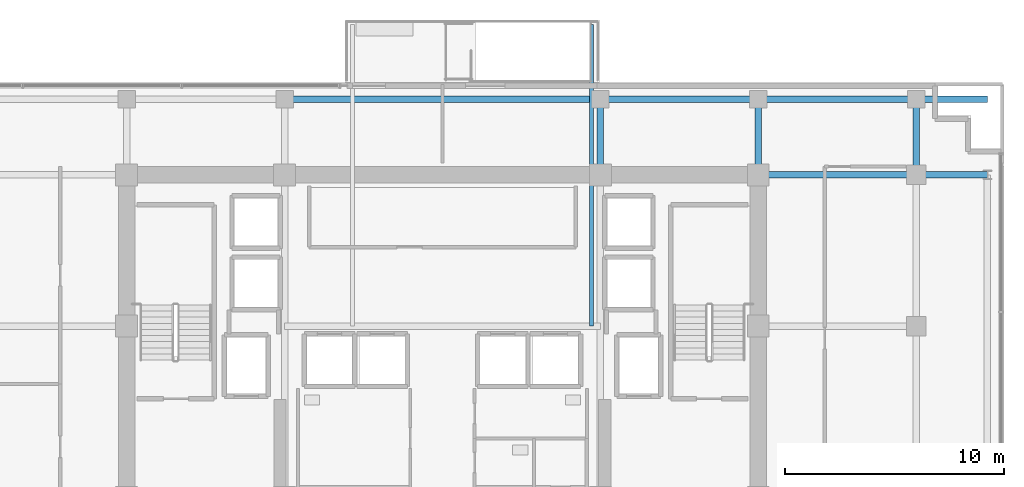
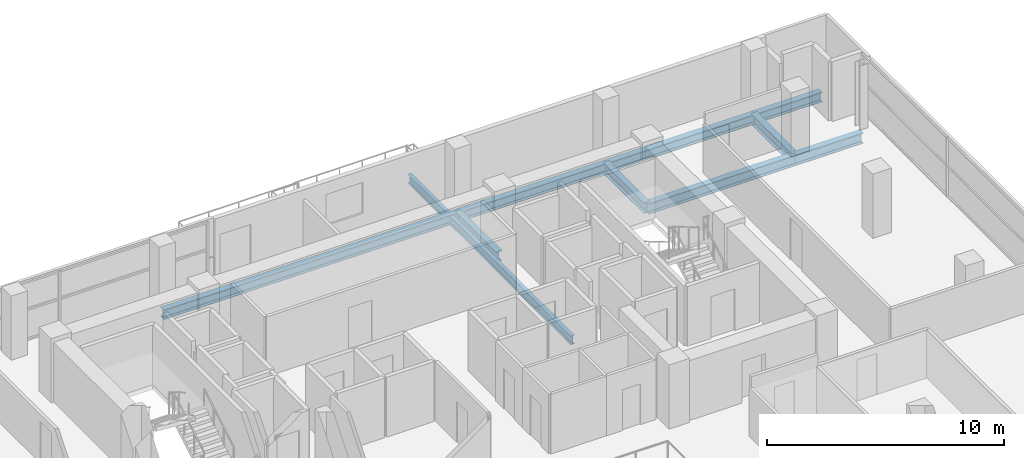
# One storey, part 17 of 28: 10 beams.
"""IFC4 building model written with IfcOpenShell, lengths in metres."""

from ifc_helpers import new_model, si_unit, direction, frame, origin, origin_2d, place, context, subcontext, project, spatial, i_section, extrude, material, material_profile, profile_set, type_object, element, save


model = new_model("IFC4")

# Units and contexts
model_context = context("Model", 3, precision=1e-05, world=origin(), true_north=direction((0.0, 1.0)))
body_context = subcontext(model_context, "Body", "Model", "MODEL_VIEW")
ifc_project = project(units=[si_unit("LENGTHUNIT", "METRE"), si_unit("AREAUNIT", "SQUARE_METRE"), si_unit("VOLUMEUNIT", "CUBIC_METRE"), si_unit("PLANEANGLEUNIT", "RADIAN"), si_unit("MASSUNIT", "GRAM", prefix="KILO")], contexts=[model_context])

# Site, building, storey
site_placement = place(None, origin())
site = spatial("IfcSite", under=ifc_project, at=site_placement, CompositionType="ELEMENT")
building_placement = place(site_placement, origin())
building = spatial("IfcBuilding", under=site, at=building_placement, Name="Zarnakvel Exchange Tower", CompositionType="ELEMENT")
storey_placement = place(building_placement, frame((0.0, 0.0, 90.10009765625)))
storey = spatial("IfcBuildingStorey", under=building, at=storey_placement, Name="L24", CompositionType="ELEMENT", Elevation=90.10009765625)

# Beams
ifc_material = material(Name="Steel S355", Category="steel")
ifc_material_profile_1 = material_profile(ifc_material, i_section(OverallWidth=0.18994140625, OverallDepth=0.449951171875, WebThickness=0.009521484375, FlangeThickness=0.0146484375, FilletRadius=0.02099609375, at=origin_2d()))
ifc_profile_set_1 = profile_set([ifc_material_profile_1], Name="Steel S355")
beam_type_1 = type_object("IfcBeamType", Name="B-05", PredefinedType="JOIST", material=ifc_profile_set_1)
beam_1_placement = place(storey_placement, frame((6.800048828125, 6.60009765625, -0.47509765625), z_axis=(0.0, 1.0, 0.0), x_axis=(-1.0, 0.0, 0.0)))
element("IfcBeam", 1, at=beam_1_placement, inside=storey, type_object=beam_type_1, Name="L24 Continuous North Spiral Terrace Beam E", PredefinedType="JOIST", context=body_context, shape_type="SweptSolid", body=[
    extrude(i_section(OverallWidth=0.18994140625, OverallDepth=0.449951171875, WebThickness=0.009521484375, FlangeThickness=0.0146484375, FilletRadius=0.02099609375, at=origin_2d()), origin(), (0.0, 0.0, 1.0), 13.760009765625),
])
ifc_material_profile_2 = material_profile(ifc_material, i_section(OverallWidth=0.300048828125, OverallDepth=0.550048828125, WebThickness=0.014892578125, FlangeThickness=0.029052734375, FilletRadius=0.027099609375, at=origin_2d()))
ifc_profile_set_2 = profile_set([ifc_material_profile_2], Name="Steel S355")
beam_type_2 = type_object("IfcBeamType", Name="G-05", PredefinedType="BEAM", material=ifc_profile_set_2)
beam_2_placement = place(storey_placement, frame((14.39990234375, 13.5, -0.5), z_axis=(1.0, 0.0, 0.0), x_axis=(0.0, 1.0, 0.0)))
element("IfcBeam", 2, at=beam_2_placement, inside=storey, type_object=beam_type_2, Name="L24 Tower E-W Frame Beam", PredefinedType="BEAM", context=body_context, shape_type="SweptSolid", body=[
    extrude(i_section(OverallWidth=0.300048828125, OverallDepth=0.550048828125, WebThickness=0.014892578125, FlangeThickness=0.029052734375, FilletRadius=0.027099609375, at=origin_2d()), origin(), (0.0, 0.0, 1.0), 7.2001953125),
])
beam_3_placement = place(storey_placement, frame((21.60009765625, 13.5, -0.5), z_axis=(1.0, 0.0, 0.0), x_axis=(0.0, 1.0, 0.0)))
element("IfcBeam", 3, at=beam_3_placement, inside=storey, type_object=beam_type_2, Name="L24 Tower E-W Frame Beam", PredefinedType="BEAM", context=body_context, shape_type="SweptSolid", body=[
    extrude(i_section(OverallWidth=0.300048828125, OverallDepth=0.550048828125, WebThickness=0.014892578125, FlangeThickness=0.029052734375, FilletRadius=0.027099609375, at=origin_2d()), origin(), (0.0, 0.0, 1.0), 3.25),
])
for number, where, z_axis, x_axis, name in (
    (4, (7.199951171875, 13.5, -0.5), (0.0, 1.0, 0.0), (-1.0, 0.0, 0.0), "L24 Tower N-S Frame Beam"),
    (5, (14.39990234375, 13.5, -0.5), (0.0, 1.0, 0.0), (-1.0, 0.0, 0.0), "L24 Tower N-S Frame Beam"),
    (6, (21.60009765625, 13.5, -0.5), (0.0, 1.0, 0.0), (-1.0, 0.0, 0.0), "L24 Tower N-S Frame Beam"),
):
    element("IfcBeam", number, at=place(storey_placement, frame(where, z_axis=z_axis, x_axis=x_axis)), inside=storey, type_object=beam_type_2, Name=name, PredefinedType="BEAM", context=body_context, shape_type="SweptSolid", body=[
        extrude(i_section(OverallWidth=0.300048828125, OverallDepth=0.550048828125, WebThickness=0.014892578125, FlangeThickness=0.029052734375, FilletRadius=0.027099609375, at=origin_2d()), origin(), (0.0, 0.0, 1.0), 3.449951171875),
    ])
ifc_material_profile_3 = material_profile(ifc_material, i_section(OverallWidth=0.300048828125, OverallDepth=0.5, WebThickness=0.014404296875, FlangeThickness=0.028076171875, FilletRadius=0.027099609375, at=origin_2d()))
ifc_profile_set_3 = profile_set([ifc_material_profile_3], Name="Steel S355")
beam_type_3 = type_object("IfcBeamType", Name="SP-02", PredefinedType="SPANDREL", material=ifc_profile_set_3)
beam_4_placement = place(storey_placement, frame((-7.199951171875, 16.949951171875, -0.47509765625), z_axis=(1.0, 0.0, 0.0), x_axis=(0.0, 1.0, 0.0)))
element("IfcBeam", 7, at=beam_4_placement, inside=storey, type_object=beam_type_3, Name="L24 Tower E-W Frame Beam", PredefinedType="SPANDREL", context=body_context, shape_type="SweptSolid", body=[
    extrude(i_section(OverallWidth=0.300048828125, OverallDepth=0.5, WebThickness=0.014404296875, FlangeThickness=0.028076171875, FilletRadius=0.027099609375, at=origin_2d()), origin(), (0.0, 0.0, 1.0), 14.39990234375),
])
beam_5_placement = place(storey_placement, frame((7.199951171875, 16.949951171875, -0.47509765625), z_axis=(1.0, 0.0, 0.0), x_axis=(0.0, 1.0, 0.0)))
element("IfcBeam", 8, at=beam_5_placement, inside=storey, type_object=beam_type_3, Name="L24 Tower E-W Frame Beam", PredefinedType="SPANDREL", context=body_context, shape_type="SweptSolid", body=[
    extrude(i_section(OverallWidth=0.300048828125, OverallDepth=0.5, WebThickness=0.014404296875, FlangeThickness=0.028076171875, FilletRadius=0.027099609375, at=origin_2d()), origin(), (0.0, 0.0, 1.0), 7.199951171875),
])
beam_6_placement = place(storey_placement, frame((14.39990234375, 16.949951171875, -0.47509765625), z_axis=(1.0, 0.0, 0.0), x_axis=(0.0, 1.0, 0.0)))
element("IfcBeam", 9, at=beam_6_placement, inside=storey, type_object=beam_type_3, Name="L24 Tower E-W Frame Beam", PredefinedType="SPANDREL", context=body_context, shape_type="SweptSolid", body=[
    extrude(i_section(OverallWidth=0.300048828125, OverallDepth=0.5, WebThickness=0.014404296875, FlangeThickness=0.028076171875, FilletRadius=0.027099609375, at=origin_2d()), origin(), (0.0, 0.0, 1.0), 7.2001953125),
])
beam_7_placement = place(storey_placement, frame((21.60009765625, 16.949951171875, -0.47509765625), z_axis=(1.0, 0.0, 0.0), x_axis=(0.0, 1.0, 0.0)))
element("IfcBeam", 10, at=beam_7_placement, inside=storey, type_object=beam_type_3, Name="L24 North-East Corner Spandrel", PredefinedType="SPANDREL", context=body_context, shape_type="SweptSolid", body=[
    extrude(i_section(OverallWidth=0.300048828125, OverallDepth=0.5, WebThickness=0.014404296875, FlangeThickness=0.028076171875, FilletRadius=0.027099609375, at=origin_2d()), origin(), (0.0, 0.0, 1.0), 3.25),
])

save(model, "model.ifc")
